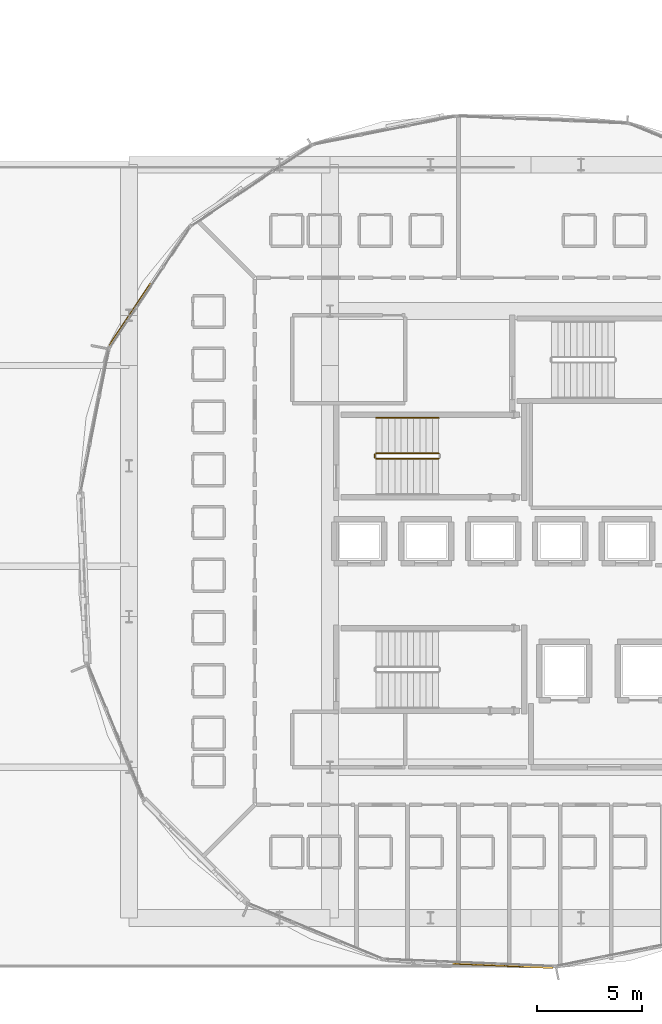
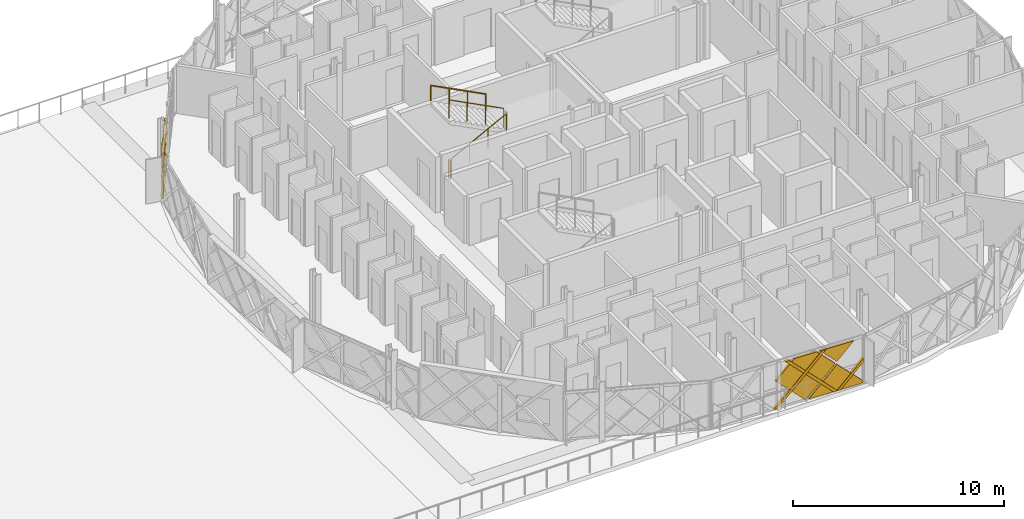
# One storey, part 42 of 53: 11 coverings, 4 railings.
"""IFC4 building model written with IfcOpenShell, lengths in metres."""

from ifc_helpers import new_model, si_unit, direction, frame, origin, origin_2d, place, context, subcontext, project, spatial, polyline, circle, outline, extrude, material, layer, layer_set, type_object, element, save


model = new_model("IFC4")

# Units and contexts
model_context = context("Model", 3, precision=1e-05, world=origin(), true_north=direction((0.0, 1.0)))
body_context = subcontext(model_context, "Body", "Model", "MODEL_VIEW")
ifc_project = project(units=[si_unit("LENGTHUNIT", "METRE"), si_unit("AREAUNIT", "SQUARE_METRE"), si_unit("VOLUMEUNIT", "CUBIC_METRE"), si_unit("PLANEANGLEUNIT", "RADIAN"), si_unit("MASSUNIT", "GRAM", prefix="KILO")], contexts=[model_context])

# Site, building, storey
site_placement = place(None, origin())
site = spatial("IfcSite", under=ifc_project, at=site_placement, CompositionType="ELEMENT")
building_placement = place(site_placement, origin())
building = spatial("IfcBuilding", under=site, at=building_placement, Name="Zevrakil Square Congress Hotel", CompositionType="ELEMENT")
storey_placement = place(building_placement, frame((0.0, 0.0, 14.699951171875)))
storey = spatial("IfcBuildingStorey", under=building, at=storey_placement, Name="L04", CompositionType="ELEMENT", Elevation=14.699951171875)

# Coverings
ifc_material_1 = material(Name="Architectural White Fibre-C GRC", Category="concrete")
ifc_layer_1 = layer(ifc_material_1, 0.06494140625)
ifc_layer_set_1 = layer_set([ifc_layer_1], Name="Architectural White Fibre-C GRC")
covering_type_1 = type_object("IfcCoveringType", Name="COV-DIA-WHITE", PredefinedType="CLADDING", material=ifc_layer_set_1)
covering_1_placement = place(storey_placement, frame((126.337158203125, 37.115966796875, 1.590087890625), z_axis=(-0.83149600157, 0.555530546087, 0.000460149731), x_axis=(-0.392959632916, -0.587580436143, -0.707341471964)))
element("IfcCovering", 1, at=covering_1_placement, inside=storey, type_object=covering_type_1, Name="L04 45-degree white GRC diamond facade cassette 2276", PredefinedType="CLADDING", context=body_context, shape_type="SweptSolid", body=[
    extrude(outline(polyline([(0.0, 0.0), (0.26266104016860925, 2.7755575615628914e-17), (1.1993843025622417, -0.9360048723062939), (0.0008210011669953499, -2.1353644814832715), (0.0, 0.0)])), origin(), (0.0, 0.0, -1.0), 0.1201171875),
])
covering_2_placement = place(storey_placement, frame((126.38720703125, 37.190673828125, 1.679931640625), z_axis=(-0.831455000271, 0.555591833323, 0.000545223807), x_axis=(0.392572808616, 0.588187418408, -0.70705173132)))
element("IfcCovering", 2, at=covering_2_placement, inside=storey, type_object=covering_type_1, Name="L04 45-degree white GRC diamond facade cassette 2277", PredefinedType="CLADDING", context=body_context, shape_type="SweptSolid", body=[
    extrude(outline(polyline([(0.0, 0.0), (2.2485535634336093, 2.220446049250313e-16), (2.248808388014639, -2.2484589814593776), (0.8345630284459279, -2.2485372690066763), (9.446748060104593e-05, -1.4141984633129039), (0.0, 0.0)])), origin(), (0.0, 0.0, -1.0), 0.1201171875),
])
covering_3_placement = place(storey_placement, frame((126.33740234375, 37.11572265625, 1.77001953125), z_axis=(-0.831336362372, 0.555769391833, 0.000485488723), x_axis=(0.393348622998, 0.587764981898, 0.706971843031)))
element("IfcCovering", 3, at=covering_3_placement, inside=storey, type_object=covering_type_1, Name="L04 45-degree white GRC diamond facade cassette 2278", PredefinedType="CLADDING", context=body_context, shape_type="SweptSolid", body=[
    extrude(outline(polyline([(0.0, 0.0), (1.2870555257219016, -1.1102230246251565e-16), (0.5120188122934848, -0.7747413084377731), (3.7020619826494405e-05, -0.2626609775237221), (0.0, 0.0)])), origin(), (0.0, 0.0, -1.0), 0.1201171875),
])
covering_4_placement = place(storey_placement, frame((146.05224609375, 7.259033203125, 1.590087890625), z_axis=(-0.041974142197, -0.999118458579, 0.00069073364), x_axis=(0.706474865119, -0.030168685587, -0.707094841846)))
element("IfcCovering", 4, at=covering_4_placement, inside=storey, type_object=covering_type_1, Name="L04 45-degree white GRC diamond facade cassette 2322", PredefinedType="CLADDING", context=body_context, shape_type="SweptSolid", body=[
    extrude(outline(polyline([(0.0, 0.0), (1.9801394175784164, 0.0), (2.057830542460271, -0.07767921890120055), (8.550335251711338e-05, -2.1353555881983084), (0.0, 0.0)])), origin(), (0.0, 0.0, -1.0), 0.1201171875),
])
covering_5_placement = place(storey_placement, frame((145.96240234375, 7.2626953125, 1.679931640625), z_axis=(-0.04198384669, -0.999118123691, 0.000575785474), x_axis=(-0.706532816739, 0.029281665197, -0.707074227329)))
element("IfcCovering", 5, at=covering_5_placement, inside=storey, type_object=covering_type_1, Name="L04 45-degree white GRC diamond facade cassette 2323", PredefinedType="CLADDING", context=body_context, shape_type="SweptSolid", body=[
    extrude(outline(polyline([(0.0, 0.0), (2.2484820450429774, 2.220446049250313e-16), (2.2487390497827895, -2.2485327818879504), (0.8484257296583968, -2.2486867918967812), (-0.0001618401751360965, -1.400177142544691), (0.0, 0.0)])), origin(), (0.0, 0.0, -1.0), 0.1201171875),
])
covering_6_placement = place(storey_placement, frame((146.05224609375, 7.259033203125, 1.77001953125), z_axis=(-0.041912625861, -0.99912104237, 0.000688829735), x_axis=(-0.706306297969, 0.030116808469, 0.707265431997)))
element("IfcCovering", 6, at=covering_6_placement, inside=storey, type_object=covering_type_1, Name="L04 45-degree white GRC diamond facade cassette 2324", PredefinedType="CLADDING", context=body_context, shape_type="SweptSolid", body=[
    extrude(outline(polyline([(0.0, 0.0), (1.2727138124565411, 0.0), (0.0002630593668636605, -1.2730225393401664), (0.0, 0.0)])), origin(), (0.0, 0.0, -1.0), 0.1201171875),
])
ifc_material_2 = material(Name="Anodised Champagne Aluminium", Category="aluminium")
ifc_layer_2 = layer(ifc_material_2, 0.0849609375)
ifc_layer_set_2 = layer_set([ifc_layer_2], Name="Anodised Champagne Aluminium")
covering_type_2 = type_object("IfcCoveringType", Name="COV-DIAGRID-45", PredefinedType="MOLDING", material=ifc_layer_set_2)
covering_7_placement = place(storey_placement, frame((128.0791015625, 39.769287109375, 0.080078125), z_axis=(-0.831607283076, 0.555364033335, 0.000342364108), x_axis=(0.555364065898, 0.831607331803, 5.4386e-08)))
element("IfcCovering", 7, at=covering_7_placement, inside=storey, type_object=covering_type_2, Name="L04 45-degree aluminium diagrid rib 2280", PredefinedType="MOLDING", context=body_context, shape_type="SweptSolid", body=[
    extrude(outline(polyline([(0.0, 0.0), (0.2122785509576714, -6.776263578034403e-21), (-2.3879463345119363, -2.5998537978634477), (-2.5998862694057157, -2.599853820934822), (0.0, 0.0)])), origin(), (0.0, 0.0, -1.0), 0.14501953125),
])
covering_8_placement = place(storey_placement, frame((127.864990234375, 39.44580078125, 2.679931640625), z_axis=(-0.831163696429, 0.556027791379, 7.0375506e-05), x_axis=(-0.556027792755, -0.831163698488, 0.0)))
element("IfcCovering", 8, at=covering_8_placement, inside=storey, type_object=covering_type_2, Name="L04 45-degree aluminium diagrid rib 2282", PredefinedType="MOLDING", context=body_context, shape_type="SweptSolid", body=[
    extrude(outline(polyline([(0.0, 0.0), (0.2120755894064681, 0.0), (2.812033227104485, -2.599853522063163), (2.599957637698017, -2.599853522063163), (0.0, 0.0)])), origin(), (0.0, 0.0, -1.0), 0.14501953125),
])
covering_9_placement = place(storey_placement, frame((142.880126953125, 7.3662109375, 0.080078125), z_axis=(-0.041989408397, -0.999117840888, 0.000655439822), x_axis=(-0.999118055489, 0.041989417673, 3.92721e-07)))
element("IfcCovering", 9, at=covering_9_placement, inside=storey, type_object=covering_type_2, Name="L04 45-degree aluminium diagrid rib 2326", PredefinedType="MOLDING", context=body_context, shape_type="SweptSolid", body=[
    extrude(outline(polyline([(0.0, 0.0), (0.21210646499463107, 0.0), (-2.3777571722373017, -2.590089380774082), (-2.590097311215775, -2.590089547463335), (0.0, 0.0)])), origin(), (0.0, 0.0, -1.0), 0.14501953125),
])
covering_10_placement = place(storey_placement, frame((146.237060546875, 7.225341796875, 0.080078125), z_axis=(-0.041959165928, -0.999119128228, 0.000629288514), x_axis=(-0.999119326064, 0.04195917403, -3.27606e-07)))
element("IfcCovering", 10, at=covering_10_placement, inside=storey, type_object=covering_type_2, Name="L04 45-degree aluminium diagrid rib 2327", PredefinedType="MOLDING", context=body_context, shape_type="SweptSolid", body=[
    extrude(outline(polyline([(0.0, 0.0), (0.21209621711148569, 0.0), (-1.2141668641202554, -1.4260252752122868), (-1.2141770385548665, -1.2138669605921095), (0.0, 0.0)])), origin(), (0.0, 0.0, -1.0), 0.14501953125),
])
covering_11_placement = place(storey_placement, frame((143.277587890625, 7.351318359375, 2.670166015625), z_axis=(-0.042563579846, -0.999093759348, 4.1258804e-05), x_axis=(0.999093760199, -0.042563579882, -1.011e-09)))
element("IfcCovering", 11, at=covering_11_placement, inside=storey, type_object=covering_type_2, Name="L04 45-degree aluminium diagrid rib 2329", PredefinedType="MOLDING", context=body_context, shape_type="SweptSolid", body=[
    extrude(outline(polyline([(0.0, 0.0), (0.2121065030048716, -5.293955920339377e-23), (2.802348838681939, -2.590087889997279), (2.589998416302019, -2.5900878904262665), (0.0, 0.0)])), origin(), (0.0, 0.0, -1.0), 0.14501953125),
])

# Railings
ifc_material_3 = material(Name="Steel S355", Category="steel")
railing_type_1 = type_object("IfcRailingType", Name="RLG-STAIR-GUARD-1100", PredefinedType="BALUSTRADE", material=ifc_material_3)
railing_1_placement = place(storey_placement, frame((139.0, 31.550048828125, 0.154541015625)))
element("IfcRailing", 12, at=railing_1_placement, inside=storey, type_object=railing_type_1, Name="L04 ST02 stair guard 1", PredefinedType="BALUSTRADE", context=body_context, shape_type="SweptSolid", body=[
    extrude(circle(Radius=0.02392578125, at=origin_2d()), frame((0.0, 0.0, 1.076171875), z_axis=(0.888979911393, 0.0, 0.45794619459), x_axis=(0.0, 1.0, 0.0)), (0.0, 0.0, 1.0), 3.374755859375),
    extrude(circle(Radius=0.02099609375, at=origin_2d()), origin(), (0.0, 0.0, 1.0), 1.052001953125),
    extrude(circle(Radius=0.02099609375, at=origin_2d()), frame((1.0, 0.0, 0.51513671875)), (0.0, 0.0, 1.0), 1.052001953125),
    extrude(circle(Radius=0.02099609375, at=origin_2d()), frame((2.0, 0.0, 1.0302734375)), (0.0, 0.0, 1.0), 1.052001953125),
    extrude(circle(Radius=0.02099609375, at=origin_2d()), frame((3.0, 0.0, 1.54541015625)), (0.0, 0.0, 1.0), 1.052001953125),
])
railing_2_placement = place(storey_placement, frame((142.0, 31.800048828125, 1.8544921875)))
element("IfcRailing", 13, at=railing_2_placement, inside=storey, type_object=railing_type_1, Name="L04 ST02 stair guard 3", PredefinedType="BALUSTRADE", context=body_context, shape_type="SweptSolid", body=[
    extrude(circle(Radius=0.02392578125, at=origin_2d()), frame((0.0, 0.0, 1.076171875), z_axis=(-0.888950458371, 0.0, 0.45800336523), x_axis=(0.0, -1.0, 0.0)), (0.0, 0.0, 1.0), 3.374755859375),
    extrude(circle(Radius=0.02099609375, at=origin_2d()), origin(), (0.0, 0.0, 1.0), 1.052001953125),
    extrude(circle(Radius=0.02099609375, at=origin_2d()), frame((-1.0, 0.0, 0.51513671875)), (0.0, 0.0, 1.0), 1.052001953125),
    extrude(circle(Radius=0.02099609375, at=origin_2d()), frame((-2.0, 0.0, 1.030517578125)), (0.0, 0.0, 1.0), 1.052001953125),
    extrude(circle(Radius=0.02099609375, at=origin_2d()), frame((-3.0, 0.0, 1.545654296875)), (0.0, 0.0, 1.0), 1.052001953125),
])
railing_3_placement = place(storey_placement, frame((138.949951171875, 31.60009765625, 0.0)))
element("IfcRailing", 14, at=railing_3_placement, inside=storey, type_object=railing_type_1, Name="L04 ST02 stair guard 4", PredefinedType="BALUSTRADE", context=body_context, shape_type="SweptSolid", body=[
    extrude(circle(Radius=0.02392578125, at=origin_2d()), frame((0.0, 0.0, 1.076171875), z_axis=(0.0, 1.0, 0.0), x_axis=(-1.0, 0.0, 0.0)), (0.0, 0.0, 1.0), 0.14990234375),
    extrude(circle(Radius=0.02099609375, at=origin_2d()), origin(), (0.0, 0.0, 1.0), 1.052001953125),
    extrude(circle(Radius=0.02099609375, at=origin_2d()), frame((0.0, 0.14990234375, 0.0)), (0.0, 0.0, 1.0), 1.052001953125),
])
ifc_material_4 = material(Name="Steel S355", Category="steel")
railing_type_2 = type_object("IfcRailingType", Name="RLG-STAIR-HAND-900", PredefinedType="HANDRAIL", material=ifc_material_4)
railing_4_placement = place(storey_placement, frame((142.0, 33.5, 1.8544921875)))
element("IfcRailing", 15, at=railing_4_placement, inside=storey, type_object=railing_type_2, Name="L04 ST02 stair handrail 2", PredefinedType="HANDRAIL", context=body_context, shape_type="SweptSolid", body=[
    extrude(circle(Radius=0.02392578125, at=origin_2d()), frame((0.0, 0.0, 0.8759765625), z_axis=(-0.888950458371, 0.0, 0.45800336523), x_axis=(0.0, -1.0, 0.0)), (0.0, 0.0, 1.0), 3.374755859375),
    extrude(circle(Radius=0.02099609375, at=origin_2d()), origin(), (0.0, 0.0, 1.0), 0.851806640625),
    extrude(circle(Radius=0.02099609375, at=origin_2d()), frame((-1.0, 0.0, 0.51513671875)), (0.0, 0.0, 1.0), 0.851806640625),
    extrude(circle(Radius=0.02099609375, at=origin_2d()), frame((-2.0, 0.0, 1.030517578125)), (0.0, 0.0, 1.0), 0.851806640625),
    extrude(circle(Radius=0.02099609375, at=origin_2d()), frame((-3.0, 0.0, 1.545654296875)), (0.0, 0.0, 1.0), 0.851806640625),
])

save(model, "model.ifc")
